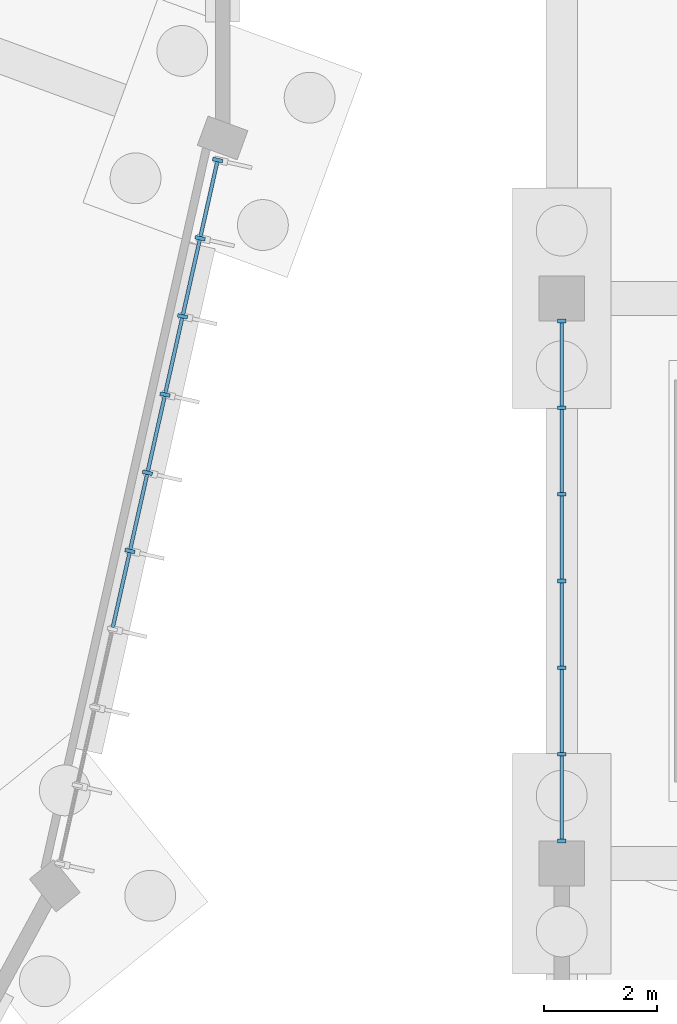
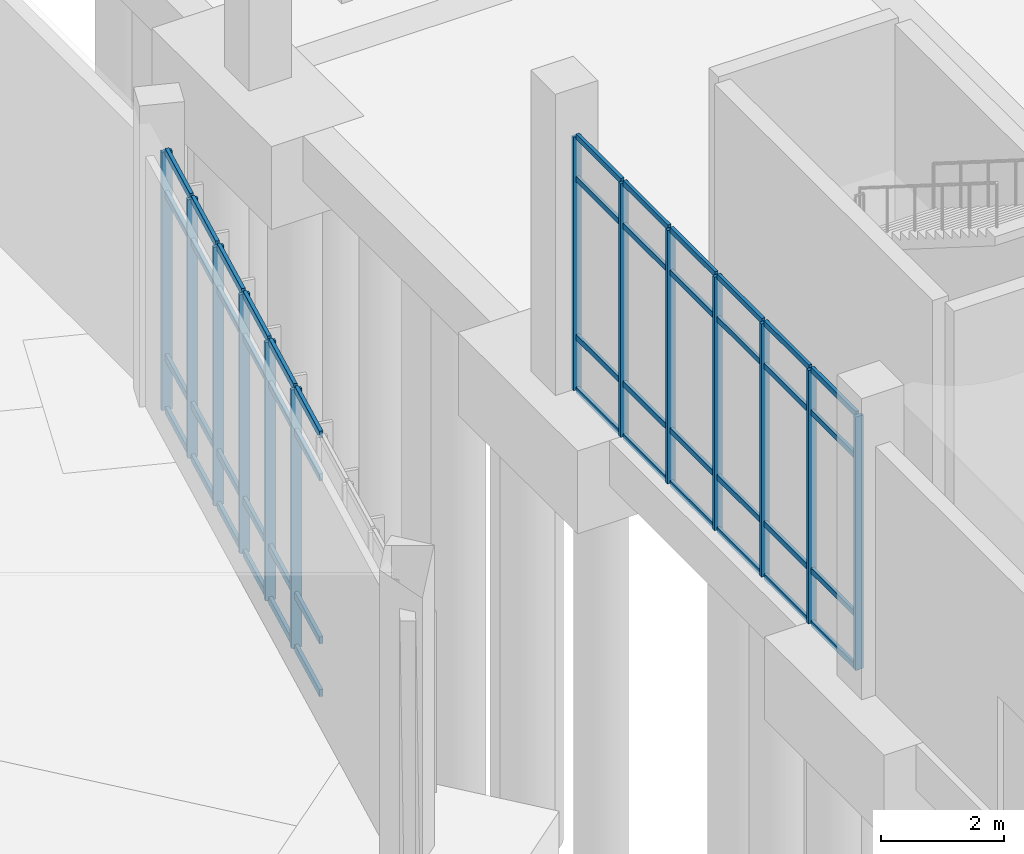
# One storey, part 44 of 140: 61 members, 2 elements without a shape of their own.
"""IFC4 building model written with IfcOpenShell, lengths in metres."""

from ifc_helpers import new_model, si_unit, direction, frame, origin, origin_2d, place, context, subcontext, project, spatial, rectangle, extrude, material, layer, layer_set, material_profile, profile_set, type_object, element, aggregate, save


model = new_model("IFC4")

# Units and contexts
model_context = context("Model", 3, precision=1e-05, world=origin(), true_north=direction((0.0, 1.0)))
body_context = subcontext(model_context, "Body", "Model", "MODEL_VIEW")
ifc_project = project(units=[si_unit("LENGTHUNIT", "METRE"), si_unit("AREAUNIT", "SQUARE_METRE"), si_unit("VOLUMEUNIT", "CUBIC_METRE"), si_unit("PLANEANGLEUNIT", "RADIAN"), si_unit("MASSUNIT", "GRAM", prefix="KILO")], contexts=[model_context])

# Site, building, storey
site_placement = place(None, origin())
site = spatial("IfcSite", under=ifc_project, at=site_placement, CompositionType="ELEMENT")
building_placement = place(site_placement, origin())
building = spatial("IfcBuilding", under=site, at=building_placement, Name="Corvandel Quay Wholesale Market", CompositionType="ELEMENT")
storey_placement = place(building_placement, origin())
storey = spatial("IfcBuildingStorey", under=building, at=storey_placement, Name="L00", CompositionType="ELEMENT", Elevation=0.0)

# Curtain wall, members
ifc_material_1 = material(Name="Bronze anodised aluminium and low-E insulated glazing", Category="aluminium")
ifc_layer_1 = layer(ifc_material_1, 0.162109375)
ifc_layer_set_1 = layer_set([ifc_layer_1], Name="Bronze anodised aluminium and low-E insulated glazing")
curtain_wall_type_1 = type_object("IfcCurtainWallType", Name="Stick Curtain Wall System CW16 H4440", PredefinedType="NOTDEFINED", material=ifc_layer_set_1)
curtain_wall_1_placement = place(storey_placement, origin())
curtain_wall_1 = element("IfcCurtainWall", 1, at=curtain_wall_1_placement, inside=storey, type_object=curtain_wall_type_1, Name="Curtain Wall CW-0141", PredefinedType="NOTDEFINED")
ifc_material_2 = material(Name="Anodised aluminium 6063-T6", Category="aluminium")
ifc_material_profile_1 = material_profile(ifc_material_2, rectangle(XDim=0.06494140625, YDim=0.179931640625, at=origin_2d()), Name="ALU-MUL-65x180")
ifc_profile_set_1 = profile_set([ifc_material_profile_1], Name="Anodised aluminium 6063-T6")
member_type_1 = type_object("IfcMemberType", Name="Curtain Wall Mullion ML01 65x180", PredefinedType="MULLION", material=ifc_profile_set_1)
member_1_placement = place(storey_placement, frame((212.3603515625, 45.53173828125, 0.0), z_axis=(0.0, 0.0, 1.0), x_axis=(0.218994806262, 0.975726024471, 0.0)))
member_1 = element("IfcMember", 2, at=member_1_placement, type_object=member_type_1, Name="Mullion CW-0141-M04", PredefinedType="MULLION", context=body_context, shape_type="SweptSolid", body=[
    extrude(rectangle(XDim=0.06494140625, YDim=0.179931640625, at=origin_2d()), origin(), (0.0, 0.0, 1.0), 5.14990234375),
])
member_2_placement = place(storey_placement, frame((212.670654296875, 46.915283203125, 0.0), z_axis=(0.0, 0.0, 1.0), x_axis=(0.218994806262, 0.975726024471, 0.0)))
member_2 = element("IfcMember", 3, at=member_2_placement, type_object=member_type_1, Name="Mullion CW-0141-M05", PredefinedType="MULLION", context=body_context, shape_type="SweptSolid", body=[
    extrude(rectangle(XDim=0.06494140625, YDim=0.179931640625, at=origin_2d()), origin(), (0.0, 0.0, 1.0), 5.14990234375),
])
member_3_placement = place(storey_placement, frame((212.981201171875, 48.298583984375, 0.0), z_axis=(0.0, 0.0, 1.0), x_axis=(0.218994806262, 0.975726024471, 0.0)))
member_3 = element("IfcMember", 4, at=member_3_placement, type_object=member_type_1, Name="Mullion CW-0141-M06", PredefinedType="MULLION", context=body_context, shape_type="SweptSolid", body=[
    extrude(rectangle(XDim=0.06494140625, YDim=0.179931640625, at=origin_2d()), origin(), (0.0, 0.0, 1.0), 5.14990234375),
])
member_4_placement = place(storey_placement, frame((213.29150390625, 49.681884765625, 0.0), z_axis=(0.0, 0.0, 1.0), x_axis=(0.218994806262, 0.975726024471, 0.0)))
member_4 = element("IfcMember", 5, at=member_4_placement, type_object=member_type_1, Name="Mullion CW-0141-M07", PredefinedType="MULLION", context=body_context, shape_type="SweptSolid", body=[
    extrude(rectangle(XDim=0.06494140625, YDim=0.179931640625, at=origin_2d()), origin(), (0.0, 0.0, 1.0), 5.14990234375),
])
member_5_placement = place(storey_placement, frame((213.60205078125, 51.065185546875, 0.0), z_axis=(0.0, 0.0, 1.0), x_axis=(0.218994806262, 0.975726024471, 0.0)))
member_5 = element("IfcMember", 6, at=member_5_placement, type_object=member_type_1, Name="Mullion CW-0141-M08", PredefinedType="MULLION", context=body_context, shape_type="SweptSolid", body=[
    extrude(rectangle(XDim=0.06494140625, YDim=0.179931640625, at=origin_2d()), origin(), (0.0, 0.0, 1.0), 5.14990234375),
])
member_6_placement = place(storey_placement, frame((213.912353515625, 52.44873046875, 0.0), z_axis=(0.0, 0.0, 1.0), x_axis=(0.218994806262, 0.975726024471, 0.0)))
member_6 = element("IfcMember", 7, at=member_6_placement, type_object=member_type_1, Name="Mullion CW-0141-M09", PredefinedType="MULLION", context=body_context, shape_type="SweptSolid", body=[
    extrude(rectangle(XDim=0.06494140625, YDim=0.179931640625, at=origin_2d()), origin(), (0.0, 0.0, 1.0), 5.14990234375),
])

ifc_layer_2 = layer(ifc_material_1, 0.174072265625)
ifc_layer_set_2 = layer_set([ifc_layer_2], Name="Bronze anodised aluminium and low-E insulated glazing")
curtain_wall_type_2 = type_object("IfcCurtainWallType", Name="Stick Curtain Wall System CW22 H4980", PredefinedType="NOTDEFINED", material=ifc_layer_set_2)
curtain_wall_2_placement = place(storey_placement, origin())
curtain_wall_2 = element("IfcCurtainWall", 8, at=curtain_wall_2_placement, inside=storey, type_object=curtain_wall_type_2, Name="Curtain Wall CW-0143", PredefinedType="NOTDEFINED")
ifc_material_profile_2 = material_profile(ifc_material_2, rectangle(XDim=0.06494140625, YDim=0.14990234375, at=origin_2d()), Name="ALU-MUL-65x150")
ifc_profile_set_2 = profile_set([ifc_material_profile_2], Name="Anodised aluminium 6063-T6")
member_type_2 = type_object("IfcMemberType", Name="Curtain Wall Mullion ML02 65x150", PredefinedType="MULLION", material=ifc_profile_set_2)
member_7_placement = place(storey_placement, frame((220.0, 40.39990234375, 0.0), z_axis=(0.0, 0.0, 1.0), x_axis=(0.0, 1.0, 0.0)))
member_7 = element("IfcMember", 9, at=member_7_placement, type_object=member_type_2, Name="Mullion CW-0143-M00", PredefinedType="MULLION", context=body_context, shape_type="SweptSolid", body=[
    extrude(rectangle(XDim=0.06494140625, YDim=0.14990234375, at=origin_2d()), origin(), (0.0, 0.0, 1.0), 5.050048828125),
])
member_8_placement = place(storey_placement, frame((220.0, 41.933349609375, 0.0), z_axis=(0.0, 0.0, 1.0), x_axis=(0.0, 1.0, 0.0)))
member_8 = element("IfcMember", 10, at=member_8_placement, type_object=member_type_2, Name="Mullion CW-0143-M01", PredefinedType="MULLION", context=body_context, shape_type="SweptSolid", body=[
    extrude(rectangle(XDim=0.06494140625, YDim=0.14990234375, at=origin_2d()), origin(), (0.0, 0.0, 1.0), 5.050048828125),
])
member_9_placement = place(storey_placement, frame((220.0, 43.466796875, 0.0), z_axis=(0.0, 0.0, 1.0), x_axis=(0.0, 1.0, 0.0)))
member_9 = element("IfcMember", 11, at=member_9_placement, type_object=member_type_2, Name="Mullion CW-0143-M02", PredefinedType="MULLION", context=body_context, shape_type="SweptSolid", body=[
    extrude(rectangle(XDim=0.06494140625, YDim=0.14990234375, at=origin_2d()), origin(), (0.0, 0.0, 1.0), 5.050048828125),
])
member_10_placement = place(storey_placement, frame((220.0, 45.0, 0.0), z_axis=(0.0, 0.0, 1.0), x_axis=(0.0, 1.0, 0.0)))
member_10 = element("IfcMember", 12, at=member_10_placement, type_object=member_type_2, Name="Mullion CW-0143-M03", PredefinedType="MULLION", context=body_context, shape_type="SweptSolid", body=[
    extrude(rectangle(XDim=0.06494140625, YDim=0.14990234375, at=origin_2d()), origin(), (0.0, 0.0, 1.0), 5.050048828125),
])
member_11_placement = place(storey_placement, frame((220.0, 46.533203125, 0.0), z_axis=(0.0, 0.0, 1.0), x_axis=(0.0, 1.0, 0.0)))
member_11 = element("IfcMember", 13, at=member_11_placement, type_object=member_type_2, Name="Mullion CW-0143-M04", PredefinedType="MULLION", context=body_context, shape_type="SweptSolid", body=[
    extrude(rectangle(XDim=0.06494140625, YDim=0.14990234375, at=origin_2d()), origin(), (0.0, 0.0, 1.0), 5.050048828125),
])
member_12_placement = place(storey_placement, frame((220.0, 48.066650390625, 0.0), z_axis=(0.0, 0.0, 1.0), x_axis=(0.0, 1.0, 0.0)))
member_12 = element("IfcMember", 14, at=member_12_placement, type_object=member_type_2, Name="Mullion CW-0143-M05", PredefinedType="MULLION", context=body_context, shape_type="SweptSolid", body=[
    extrude(rectangle(XDim=0.06494140625, YDim=0.14990234375, at=origin_2d()), origin(), (0.0, 0.0, 1.0), 5.050048828125),
])
member_13_placement = place(storey_placement, frame((220.0, 49.60009765625, 0.0), z_axis=(0.0, 0.0, 1.0), x_axis=(0.0, 1.0, 0.0)))
member_13 = element("IfcMember", 15, at=member_13_placement, type_object=member_type_2, Name="Mullion CW-0143-M06", PredefinedType="MULLION", context=body_context, shape_type="SweptSolid", body=[
    extrude(rectangle(XDim=0.06494140625, YDim=0.14990234375, at=origin_2d()), origin(), (0.0, 0.0, 1.0), 5.050048828125),
])

# Member
ifc_material_profile_3 = material_profile(ifc_material_2, rectangle(XDim=0.06494140625, YDim=0.139892578125, at=origin_2d()), Name="ALU-TRN-65x140")
ifc_profile_set_3 = profile_set([ifc_material_profile_3], Name="Anodised aluminium 6063-T6")
member_type_3 = type_object("IfcMemberType", Name="Curtain Wall Transom TR01 65x140", PredefinedType="USERDEFINED", material=ifc_profile_set_3)
member_14_placement = place(storey_placement, frame((212.056884765625, 44.18017578125, 0.0), z_axis=(0.21910847459, 0.975700505464, 0.0), x_axis=(-0.975700505464, 0.21910847459, 0.0)))
member_14 = element("IfcMember", 16, at=member_14_placement, type_object=member_type_3, Name="Transom CW-0141-T03-0", ObjectType="TRANSOM", PredefinedType="USERDEFINED", context=body_context, shape_type="SweptSolid", body=[
    extrude(rectangle(XDim=0.06494140625, YDim=0.139892578125, at=origin_2d()), origin(), (0.0, 0.0, 1.0), 1.352783203125),
])

member_15_placement = place(storey_placement, frame((212.056884765625, 44.18017578125, 1.050048828125), z_axis=(0.21910847459, 0.975700505464, 0.0), x_axis=(-0.975700505464, 0.21910847459, 0.0)))
member_15 = element("IfcMember", 17, at=member_15_placement, type_object=member_type_3, Name="Transom CW-0141-T03-1", ObjectType="TRANSOM", PredefinedType="USERDEFINED", context=body_context, shape_type="SweptSolid", body=[
    extrude(rectangle(XDim=0.06494140625, YDim=0.139892578125, at=origin_2d()), origin(), (0.0, 0.0, 1.0), 1.352783203125),
])

member_16_placement = place(storey_placement, frame((212.056884765625, 44.18017578125, 4.300048828125), z_axis=(0.21910847459, 0.975700505464, 0.0), x_axis=(-0.975700505464, 0.21910847459, 0.0)))
member_16 = element("IfcMember", 18, at=member_16_placement, type_object=member_type_3, Name="Transom CW-0141-T03-2", ObjectType="TRANSOM", PredefinedType="USERDEFINED", context=body_context, shape_type="SweptSolid", body=[
    extrude(rectangle(XDim=0.06494140625, YDim=0.139892578125, at=origin_2d()), origin(), (0.0, 0.0, 1.0), 1.352783203125),
])

member_17_placement = place(storey_placement, frame((212.056884765625, 44.18017578125, 5.14990234375), z_axis=(0.21910847459, 0.975700505464, 0.0), x_axis=(-0.975700505464, 0.21910847459, 0.0)))
member_17 = element("IfcMember", 19, at=member_17_placement, type_object=member_type_3, Name="Transom CW-0141-T03-3", ObjectType="TRANSOM", PredefinedType="USERDEFINED", context=body_context, shape_type="SweptSolid", body=[
    extrude(rectangle(XDim=0.06494140625, YDim=0.139892578125, at=origin_2d()), origin(), (0.0, 0.0, 1.0), 1.352783203125),
])

member_18_placement = place(storey_placement, frame((212.367431640625, 45.5634765625, 0.0), z_axis=(0.2188980935, 0.975747725932, 0.0), x_axis=(-0.975747725932, 0.2188980935, 0.0)))
member_18 = element("IfcMember", 20, at=member_18_placement, type_object=member_type_3, Name="Transom CW-0141-T04-0", ObjectType="TRANSOM", PredefinedType="USERDEFINED", context=body_context, shape_type="SweptSolid", body=[
    extrude(rectangle(XDim=0.06494140625, YDim=0.139892578125, at=origin_2d()), origin(), (0.0, 0.0, 1.0), 1.352783203125),
])

member_19_placement = place(storey_placement, frame((212.367431640625, 45.5634765625, 1.050048828125), z_axis=(0.2188980935, 0.975747725932, 0.0), x_axis=(-0.975747725932, 0.2188980935, 0.0)))
member_19 = element("IfcMember", 21, at=member_19_placement, type_object=member_type_3, Name="Transom CW-0141-T04-1", ObjectType="TRANSOM", PredefinedType="USERDEFINED", context=body_context, shape_type="SweptSolid", body=[
    extrude(rectangle(XDim=0.06494140625, YDim=0.139892578125, at=origin_2d()), origin(), (0.0, 0.0, 1.0), 1.352783203125),
])

member_20_placement = place(storey_placement, frame((212.367431640625, 45.5634765625, 4.300048828125), z_axis=(0.2188980935, 0.975747725932, 0.0), x_axis=(-0.975747725932, 0.2188980935, 0.0)))
member_20 = element("IfcMember", 22, at=member_20_placement, type_object=member_type_3, Name="Transom CW-0141-T04-2", ObjectType="TRANSOM", PredefinedType="USERDEFINED", context=body_context, shape_type="SweptSolid", body=[
    extrude(rectangle(XDim=0.06494140625, YDim=0.139892578125, at=origin_2d()), origin(), (0.0, 0.0, 1.0), 1.352783203125),
])

member_21_placement = place(storey_placement, frame((212.367431640625, 45.5634765625, 5.14990234375), z_axis=(0.2188980935, 0.975747725932, 0.0), x_axis=(-0.975747725932, 0.2188980935, 0.0)))
member_21 = element("IfcMember", 23, at=member_21_placement, type_object=member_type_3, Name="Transom CW-0141-T04-3", ObjectType="TRANSOM", PredefinedType="USERDEFINED", context=body_context, shape_type="SweptSolid", body=[
    extrude(rectangle(XDim=0.06494140625, YDim=0.139892578125, at=origin_2d()), origin(), (0.0, 0.0, 1.0), 1.352783203125),
])

member_22_placement = place(storey_placement, frame((212.677734375, 46.947021484375, 0.0), z_axis=(0.21910847459, 0.975700505464, 0.0), x_axis=(-0.975700505464, 0.21910847459, 0.0)))
member_22 = element("IfcMember", 24, at=member_22_placement, type_object=member_type_3, Name="Transom CW-0141-T05-0", ObjectType="TRANSOM", PredefinedType="USERDEFINED", context=body_context, shape_type="SweptSolid", body=[
    extrude(rectangle(XDim=0.06494140625, YDim=0.139892578125, at=origin_2d()), origin(), (0.0, 0.0, 1.0), 1.352783203125),
])

member_23_placement = place(storey_placement, frame((212.677734375, 46.947021484375, 1.050048828125), z_axis=(0.21910847459, 0.975700505464, 0.0), x_axis=(-0.975700505464, 0.21910847459, 0.0)))
member_23 = element("IfcMember", 25, at=member_23_placement, type_object=member_type_3, Name="Transom CW-0141-T05-1", ObjectType="TRANSOM", PredefinedType="USERDEFINED", context=body_context, shape_type="SweptSolid", body=[
    extrude(rectangle(XDim=0.06494140625, YDim=0.139892578125, at=origin_2d()), origin(), (0.0, 0.0, 1.0), 1.352783203125),
])

member_24_placement = place(storey_placement, frame((212.677734375, 46.947021484375, 4.300048828125), z_axis=(0.21910847459, 0.975700505464, 0.0), x_axis=(-0.975700505464, 0.21910847459, 0.0)))
member_24 = element("IfcMember", 26, at=member_24_placement, type_object=member_type_3, Name="Transom CW-0141-T05-2", ObjectType="TRANSOM", PredefinedType="USERDEFINED", context=body_context, shape_type="SweptSolid", body=[
    extrude(rectangle(XDim=0.06494140625, YDim=0.139892578125, at=origin_2d()), origin(), (0.0, 0.0, 1.0), 1.352783203125),
])

member_25_placement = place(storey_placement, frame((212.677734375, 46.947021484375, 5.14990234375), z_axis=(0.21910847459, 0.975700505464, 0.0), x_axis=(-0.975700505464, 0.21910847459, 0.0)))
member_25 = element("IfcMember", 27, at=member_25_placement, type_object=member_type_3, Name="Transom CW-0141-T05-3", ObjectType="TRANSOM", PredefinedType="USERDEFINED", context=body_context, shape_type="SweptSolid", body=[
    extrude(rectangle(XDim=0.06494140625, YDim=0.139892578125, at=origin_2d()), origin(), (0.0, 0.0, 1.0), 1.352783203125),
])

member_26_placement = place(storey_placement, frame((212.98828125, 48.330322265625, 0.0), z_axis=(0.218936644466, 0.975739076654, 0.0), x_axis=(-0.975739076654, 0.218936644466, 0.0)))
member_26 = element("IfcMember", 28, at=member_26_placement, type_object=member_type_3, Name="Transom CW-0141-T06-0", ObjectType="TRANSOM", PredefinedType="USERDEFINED", context=body_context, shape_type="SweptSolid", body=[
    extrude(rectangle(XDim=0.06494140625, YDim=0.139892578125, at=origin_2d()), origin(), (0.0, 0.0, 1.0), 1.3525390625),
])

member_27_placement = place(storey_placement, frame((212.98828125, 48.330322265625, 1.050048828125), z_axis=(0.218936644466, 0.975739076654, 0.0), x_axis=(-0.975739076654, 0.218936644466, 0.0)))
member_27 = element("IfcMember", 29, at=member_27_placement, type_object=member_type_3, Name="Transom CW-0141-T06-1", ObjectType="TRANSOM", PredefinedType="USERDEFINED", context=body_context, shape_type="SweptSolid", body=[
    extrude(rectangle(XDim=0.06494140625, YDim=0.139892578125, at=origin_2d()), origin(), (0.0, 0.0, 1.0), 1.3525390625),
])

member_28_placement = place(storey_placement, frame((212.98828125, 48.330322265625, 4.300048828125), z_axis=(0.218936644466, 0.975739076654, 0.0), x_axis=(-0.975739076654, 0.218936644466, 0.0)))
member_28 = element("IfcMember", 30, at=member_28_placement, type_object=member_type_3, Name="Transom CW-0141-T06-2", ObjectType="TRANSOM", PredefinedType="USERDEFINED", context=body_context, shape_type="SweptSolid", body=[
    extrude(rectangle(XDim=0.06494140625, YDim=0.139892578125, at=origin_2d()), origin(), (0.0, 0.0, 1.0), 1.3525390625),
])

member_29_placement = place(storey_placement, frame((212.98828125, 48.330322265625, 5.14990234375), z_axis=(0.218936644466, 0.975739076654, 0.0), x_axis=(-0.975739076654, 0.218936644466, 0.0)))
member_29 = element("IfcMember", 31, at=member_29_placement, type_object=member_type_3, Name="Transom CW-0141-T06-3", ObjectType="TRANSOM", PredefinedType="USERDEFINED", context=body_context, shape_type="SweptSolid", body=[
    extrude(rectangle(XDim=0.06494140625, YDim=0.139892578125, at=origin_2d()), origin(), (0.0, 0.0, 1.0), 1.3525390625),
])

member_30_placement = place(storey_placement, frame((213.298583984375, 49.713623046875, 0.0), z_axis=(0.219069896418, 0.975709167982, 0.0), x_axis=(-0.975709167982, 0.219069896418, 0.0)))
member_30 = element("IfcMember", 32, at=member_30_placement, type_object=member_type_3, Name="Transom CW-0141-T07-0", ObjectType="TRANSOM", PredefinedType="USERDEFINED", context=body_context, shape_type="SweptSolid", body=[
    extrude(rectangle(XDim=0.06494140625, YDim=0.139892578125, at=origin_2d()), origin(), (0.0, 0.0, 1.0), 1.35302734375),
])

member_31_placement = place(storey_placement, frame((213.298583984375, 49.713623046875, 1.050048828125), z_axis=(0.219069896418, 0.975709167982, 0.0), x_axis=(-0.975709167982, 0.219069896418, 0.0)))
member_31 = element("IfcMember", 33, at=member_31_placement, type_object=member_type_3, Name="Transom CW-0141-T07-1", ObjectType="TRANSOM", PredefinedType="USERDEFINED", context=body_context, shape_type="SweptSolid", body=[
    extrude(rectangle(XDim=0.06494140625, YDim=0.139892578125, at=origin_2d()), origin(), (0.0, 0.0, 1.0), 1.35302734375),
])

member_32_placement = place(storey_placement, frame((213.298583984375, 49.713623046875, 4.300048828125), z_axis=(0.219069896418, 0.975709167982, 0.0), x_axis=(-0.975709167982, 0.219069896418, 0.0)))
member_32 = element("IfcMember", 34, at=member_32_placement, type_object=member_type_3, Name="Transom CW-0141-T07-2", ObjectType="TRANSOM", PredefinedType="USERDEFINED", context=body_context, shape_type="SweptSolid", body=[
    extrude(rectangle(XDim=0.06494140625, YDim=0.139892578125, at=origin_2d()), origin(), (0.0, 0.0, 1.0), 1.35302734375),
])

member_33_placement = place(storey_placement, frame((213.298583984375, 49.713623046875, 5.14990234375), z_axis=(0.219069896418, 0.975709167982, 0.0), x_axis=(-0.975709167982, 0.219069896418, 0.0)))
member_33 = element("IfcMember", 35, at=member_33_placement, type_object=member_type_3, Name="Transom CW-0141-T07-3", ObjectType="TRANSOM", PredefinedType="USERDEFINED", context=body_context, shape_type="SweptSolid", body=[
    extrude(rectangle(XDim=0.06494140625, YDim=0.139892578125, at=origin_2d()), origin(), (0.0, 0.0, 1.0), 1.35302734375),
])

member_34_placement = place(storey_placement, frame((213.609130859375, 51.096923828125, 0.0), z_axis=(0.2188980935, 0.975747725932, 0.0), x_axis=(-0.975747725932, 0.2188980935, 0.0)))
member_34 = element("IfcMember", 36, at=member_34_placement, type_object=member_type_3, Name="Transom CW-0141-T08-0", ObjectType="TRANSOM", PredefinedType="USERDEFINED", context=body_context, shape_type="SweptSolid", body=[
    extrude(rectangle(XDim=0.06494140625, YDim=0.139892578125, at=origin_2d()), origin(), (0.0, 0.0, 1.0), 1.352783203125),
])

member_35_placement = place(storey_placement, frame((213.609130859375, 51.096923828125, 1.050048828125), z_axis=(0.2188980935, 0.975747725932, 0.0), x_axis=(-0.975747725932, 0.2188980935, 0.0)))
member_35 = element("IfcMember", 37, at=member_35_placement, type_object=member_type_3, Name="Transom CW-0141-T08-1", ObjectType="TRANSOM", PredefinedType="USERDEFINED", context=body_context, shape_type="SweptSolid", body=[
    extrude(rectangle(XDim=0.06494140625, YDim=0.139892578125, at=origin_2d()), origin(), (0.0, 0.0, 1.0), 1.352783203125),
])

member_36_placement = place(storey_placement, frame((213.609130859375, 51.096923828125, 4.300048828125), z_axis=(0.2188980935, 0.975747725932, 0.0), x_axis=(-0.975747725932, 0.2188980935, 0.0)))
member_36 = element("IfcMember", 38, at=member_36_placement, type_object=member_type_3, Name="Transom CW-0141-T08-2", ObjectType="TRANSOM", PredefinedType="USERDEFINED", context=body_context, shape_type="SweptSolid", body=[
    extrude(rectangle(XDim=0.06494140625, YDim=0.139892578125, at=origin_2d()), origin(), (0.0, 0.0, 1.0), 1.352783203125),
])

member_37_placement = place(storey_placement, frame((213.609130859375, 51.096923828125, 5.14990234375), z_axis=(0.2188980935, 0.975747725932, 0.0), x_axis=(-0.975747725932, 0.2188980935, 0.0)))
member_37 = element("IfcMember", 39, at=member_37_placement, type_object=member_type_3, Name="Transom CW-0141-T08-3", ObjectType="TRANSOM", PredefinedType="USERDEFINED", context=body_context, shape_type="SweptSolid", body=[
    extrude(rectangle(XDim=0.06494140625, YDim=0.139892578125, at=origin_2d()), origin(), (0.0, 0.0, 1.0), 1.352783203125),
])

aggregate(curtain_wall_1, [member_1, member_2, member_3, member_4, member_5, member_6, member_14, member_15, member_16, member_17, member_18, member_19, member_20, member_21, member_22, member_23, member_24, member_25, member_26, member_27, member_28, member_29, member_30, member_31, member_32, member_33, member_34, member_35, member_36, member_37])

ifc_material_profile_4 = material_profile(ifc_material_2, rectangle(XDim=0.06005859375, YDim=0.110107421875, at=origin_2d()), Name="ALU-TRN-60x110")
ifc_profile_set_4 = profile_set([ifc_material_profile_4], Name="Anodised aluminium 6063-T6")
member_type_4 = type_object("IfcMemberType", Name="Curtain Wall Transom TR02 60x110", PredefinedType="USERDEFINED", material=ifc_profile_set_4)
member_38_placement = place(storey_placement, frame((220.0, 40.4326171875, 0.0), z_axis=(0.0, 1.0, 0.0), x_axis=(-1.0, 0.0, 0.0)))
member_38 = element("IfcMember", 40, at=member_38_placement, type_object=member_type_4, Name="Transom CW-0143-T00-0", ObjectType="TRANSOM", PredefinedType="USERDEFINED", context=body_context, shape_type="SweptSolid", body=[
    extrude(rectangle(XDim=0.06005859375, YDim=0.110107421875, at=origin_2d()), origin(), (0.0, 0.0, 1.0), 1.46826171875),
])

member_39_placement = place(storey_placement, frame((220.0, 40.4326171875, 1.050048828125), z_axis=(0.0, 1.0, 0.0), x_axis=(-1.0, 0.0, 0.0)))
member_39 = element("IfcMember", 41, at=member_39_placement, type_object=member_type_4, Name="Transom CW-0143-T00-1", ObjectType="TRANSOM", PredefinedType="USERDEFINED", context=body_context, shape_type="SweptSolid", body=[
    extrude(rectangle(XDim=0.06005859375, YDim=0.110107421875, at=origin_2d()), origin(), (0.0, 0.0, 1.0), 1.46826171875),
])

member_40_placement = place(storey_placement, frame((220.0, 40.4326171875, 4.199951171875), z_axis=(0.0, 1.0, 0.0), x_axis=(-1.0, 0.0, 0.0)))
member_40 = element("IfcMember", 42, at=member_40_placement, type_object=member_type_4, Name="Transom CW-0143-T00-2", ObjectType="TRANSOM", PredefinedType="USERDEFINED", context=body_context, shape_type="SweptSolid", body=[
    extrude(rectangle(XDim=0.06005859375, YDim=0.110107421875, at=origin_2d()), origin(), (0.0, 0.0, 1.0), 1.46826171875),
])

member_41_placement = place(storey_placement, frame((220.0, 40.4326171875, 5.050048828125), z_axis=(0.0, 1.0, 0.0), x_axis=(-1.0, 0.0, 0.0)))
member_41 = element("IfcMember", 43, at=member_41_placement, type_object=member_type_4, Name="Transom CW-0143-T00-3", ObjectType="TRANSOM", PredefinedType="USERDEFINED", context=body_context, shape_type="SweptSolid", body=[
    extrude(rectangle(XDim=0.06005859375, YDim=0.110107421875, at=origin_2d()), origin(), (0.0, 0.0, 1.0), 1.46826171875),
])

member_42_placement = place(storey_placement, frame((220.0, 41.9658203125, 0.0), z_axis=(0.0, 1.0, 0.0), x_axis=(-1.0, 0.0, 0.0)))
member_42 = element("IfcMember", 44, at=member_42_placement, type_object=member_type_4, Name="Transom CW-0143-T01-0", ObjectType="TRANSOM", PredefinedType="USERDEFINED", context=body_context, shape_type="SweptSolid", body=[
    extrude(rectangle(XDim=0.06005859375, YDim=0.110107421875, at=origin_2d()), origin(), (0.0, 0.0, 1.0), 1.46826171875),
])

member_43_placement = place(storey_placement, frame((220.0, 41.9658203125, 1.050048828125), z_axis=(0.0, 1.0, 0.0), x_axis=(-1.0, 0.0, 0.0)))
member_43 = element("IfcMember", 45, at=member_43_placement, type_object=member_type_4, Name="Transom CW-0143-T01-1", ObjectType="TRANSOM", PredefinedType="USERDEFINED", context=body_context, shape_type="SweptSolid", body=[
    extrude(rectangle(XDim=0.06005859375, YDim=0.110107421875, at=origin_2d()), origin(), (0.0, 0.0, 1.0), 1.46826171875),
])

member_44_placement = place(storey_placement, frame((220.0, 41.9658203125, 4.199951171875), z_axis=(0.0, 1.0, 0.0), x_axis=(-1.0, 0.0, 0.0)))
member_44 = element("IfcMember", 46, at=member_44_placement, type_object=member_type_4, Name="Transom CW-0143-T01-2", ObjectType="TRANSOM", PredefinedType="USERDEFINED", context=body_context, shape_type="SweptSolid", body=[
    extrude(rectangle(XDim=0.06005859375, YDim=0.110107421875, at=origin_2d()), origin(), (0.0, 0.0, 1.0), 1.46826171875),
])

member_45_placement = place(storey_placement, frame((220.0, 41.9658203125, 5.050048828125), z_axis=(0.0, 1.0, 0.0), x_axis=(-1.0, 0.0, 0.0)))
member_45 = element("IfcMember", 47, at=member_45_placement, type_object=member_type_4, Name="Transom CW-0143-T01-3", ObjectType="TRANSOM", PredefinedType="USERDEFINED", context=body_context, shape_type="SweptSolid", body=[
    extrude(rectangle(XDim=0.06005859375, YDim=0.110107421875, at=origin_2d()), origin(), (0.0, 0.0, 1.0), 1.46826171875),
])

member_46_placement = place(storey_placement, frame((220.0, 43.499267578125, 0.0), z_axis=(0.0, 1.0, 0.0), x_axis=(-1.0, 0.0, 0.0)))
member_46 = element("IfcMember", 48, at=member_46_placement, type_object=member_type_4, Name="Transom CW-0143-T02-0", ObjectType="TRANSOM", PredefinedType="USERDEFINED", context=body_context, shape_type="SweptSolid", body=[
    extrude(rectangle(XDim=0.06005859375, YDim=0.110107421875, at=origin_2d()), origin(), (0.0, 0.0, 1.0), 1.46826171875),
])

member_47_placement = place(storey_placement, frame((220.0, 43.499267578125, 1.050048828125), z_axis=(0.0, 1.0, 0.0), x_axis=(-1.0, 0.0, 0.0)))
member_47 = element("IfcMember", 49, at=member_47_placement, type_object=member_type_4, Name="Transom CW-0143-T02-1", ObjectType="TRANSOM", PredefinedType="USERDEFINED", context=body_context, shape_type="SweptSolid", body=[
    extrude(rectangle(XDim=0.06005859375, YDim=0.110107421875, at=origin_2d()), origin(), (0.0, 0.0, 1.0), 1.46826171875),
])

member_48_placement = place(storey_placement, frame((220.0, 43.499267578125, 4.199951171875), z_axis=(0.0, 1.0, 0.0), x_axis=(-1.0, 0.0, 0.0)))
member_48 = element("IfcMember", 50, at=member_48_placement, type_object=member_type_4, Name="Transom CW-0143-T02-2", ObjectType="TRANSOM", PredefinedType="USERDEFINED", context=body_context, shape_type="SweptSolid", body=[
    extrude(rectangle(XDim=0.06005859375, YDim=0.110107421875, at=origin_2d()), origin(), (0.0, 0.0, 1.0), 1.46826171875),
])

member_49_placement = place(storey_placement, frame((220.0, 43.499267578125, 5.050048828125), z_axis=(0.0, 1.0, 0.0), x_axis=(-1.0, 0.0, 0.0)))
member_49 = element("IfcMember", 51, at=member_49_placement, type_object=member_type_4, Name="Transom CW-0143-T02-3", ObjectType="TRANSOM", PredefinedType="USERDEFINED", context=body_context, shape_type="SweptSolid", body=[
    extrude(rectangle(XDim=0.06005859375, YDim=0.110107421875, at=origin_2d()), origin(), (0.0, 0.0, 1.0), 1.46826171875),
])

member_50_placement = place(storey_placement, frame((220.0, 45.032470703125, 0.0), z_axis=(0.0, 1.0, 0.0), x_axis=(-1.0, 0.0, 0.0)))
member_50 = element("IfcMember", 52, at=member_50_placement, type_object=member_type_4, Name="Transom CW-0143-T03-0", ObjectType="TRANSOM", PredefinedType="USERDEFINED", context=body_context, shape_type="SweptSolid", body=[
    extrude(rectangle(XDim=0.06005859375, YDim=0.110107421875, at=origin_2d()), origin(), (0.0, 0.0, 1.0), 1.46826171875),
])

member_51_placement = place(storey_placement, frame((220.0, 45.032470703125, 1.050048828125), z_axis=(0.0, 1.0, 0.0), x_axis=(-1.0, 0.0, 0.0)))
member_51 = element("IfcMember", 53, at=member_51_placement, type_object=member_type_4, Name="Transom CW-0143-T03-1", ObjectType="TRANSOM", PredefinedType="USERDEFINED", context=body_context, shape_type="SweptSolid", body=[
    extrude(rectangle(XDim=0.06005859375, YDim=0.110107421875, at=origin_2d()), origin(), (0.0, 0.0, 1.0), 1.46826171875),
])

member_52_placement = place(storey_placement, frame((220.0, 45.032470703125, 4.199951171875), z_axis=(0.0, 1.0, 0.0), x_axis=(-1.0, 0.0, 0.0)))
member_52 = element("IfcMember", 54, at=member_52_placement, type_object=member_type_4, Name="Transom CW-0143-T03-2", ObjectType="TRANSOM", PredefinedType="USERDEFINED", context=body_context, shape_type="SweptSolid", body=[
    extrude(rectangle(XDim=0.06005859375, YDim=0.110107421875, at=origin_2d()), origin(), (0.0, 0.0, 1.0), 1.46826171875),
])

member_53_placement = place(storey_placement, frame((220.0, 45.032470703125, 5.050048828125), z_axis=(0.0, 1.0, 0.0), x_axis=(-1.0, 0.0, 0.0)))
member_53 = element("IfcMember", 55, at=member_53_placement, type_object=member_type_4, Name="Transom CW-0143-T03-3", ObjectType="TRANSOM", PredefinedType="USERDEFINED", context=body_context, shape_type="SweptSolid", body=[
    extrude(rectangle(XDim=0.06005859375, YDim=0.110107421875, at=origin_2d()), origin(), (0.0, 0.0, 1.0), 1.46826171875),
])

member_54_placement = place(storey_placement, frame((220.0, 46.56591796875, 0.0), z_axis=(0.0, 1.0, 0.0), x_axis=(-1.0, 0.0, 0.0)))
member_54 = element("IfcMember", 56, at=member_54_placement, type_object=member_type_4, Name="Transom CW-0143-T04-0", ObjectType="TRANSOM", PredefinedType="USERDEFINED", context=body_context, shape_type="SweptSolid", body=[
    extrude(rectangle(XDim=0.06005859375, YDim=0.110107421875, at=origin_2d()), origin(), (0.0, 0.0, 1.0), 1.46826171875),
])

member_55_placement = place(storey_placement, frame((220.0, 46.56591796875, 1.050048828125), z_axis=(0.0, 1.0, 0.0), x_axis=(-1.0, 0.0, 0.0)))
member_55 = element("IfcMember", 57, at=member_55_placement, type_object=member_type_4, Name="Transom CW-0143-T04-1", ObjectType="TRANSOM", PredefinedType="USERDEFINED", context=body_context, shape_type="SweptSolid", body=[
    extrude(rectangle(XDim=0.06005859375, YDim=0.110107421875, at=origin_2d()), origin(), (0.0, 0.0, 1.0), 1.46826171875),
])

member_56_placement = place(storey_placement, frame((220.0, 46.56591796875, 4.199951171875), z_axis=(0.0, 1.0, 0.0), x_axis=(-1.0, 0.0, 0.0)))
member_56 = element("IfcMember", 58, at=member_56_placement, type_object=member_type_4, Name="Transom CW-0143-T04-2", ObjectType="TRANSOM", PredefinedType="USERDEFINED", context=body_context, shape_type="SweptSolid", body=[
    extrude(rectangle(XDim=0.06005859375, YDim=0.110107421875, at=origin_2d()), origin(), (0.0, 0.0, 1.0), 1.46826171875),
])

member_57_placement = place(storey_placement, frame((220.0, 46.56591796875, 5.050048828125), z_axis=(0.0, 1.0, 0.0), x_axis=(-1.0, 0.0, 0.0)))
member_57 = element("IfcMember", 59, at=member_57_placement, type_object=member_type_4, Name="Transom CW-0143-T04-3", ObjectType="TRANSOM", PredefinedType="USERDEFINED", context=body_context, shape_type="SweptSolid", body=[
    extrude(rectangle(XDim=0.06005859375, YDim=0.110107421875, at=origin_2d()), origin(), (0.0, 0.0, 1.0), 1.46826171875),
])

member_58_placement = place(storey_placement, frame((220.0, 48.09912109375, 0.0), z_axis=(0.0, 1.0, 0.0), x_axis=(-1.0, 0.0, 0.0)))
member_58 = element("IfcMember", 60, at=member_58_placement, type_object=member_type_4, Name="Transom CW-0143-T05-0", ObjectType="TRANSOM", PredefinedType="USERDEFINED", context=body_context, shape_type="SweptSolid", body=[
    extrude(rectangle(XDim=0.06005859375, YDim=0.110107421875, at=origin_2d()), origin(), (0.0, 0.0, 1.0), 1.46826171875),
])

member_59_placement = place(storey_placement, frame((220.0, 48.09912109375, 1.050048828125), z_axis=(0.0, 1.0, 0.0), x_axis=(-1.0, 0.0, 0.0)))
member_59 = element("IfcMember", 61, at=member_59_placement, type_object=member_type_4, Name="Transom CW-0143-T05-1", ObjectType="TRANSOM", PredefinedType="USERDEFINED", context=body_context, shape_type="SweptSolid", body=[
    extrude(rectangle(XDim=0.06005859375, YDim=0.110107421875, at=origin_2d()), origin(), (0.0, 0.0, 1.0), 1.46826171875),
])

member_60_placement = place(storey_placement, frame((220.0, 48.09912109375, 4.199951171875), z_axis=(0.0, 1.0, 0.0), x_axis=(-1.0, 0.0, 0.0)))
member_60 = element("IfcMember", 62, at=member_60_placement, type_object=member_type_4, Name="Transom CW-0143-T05-2", ObjectType="TRANSOM", PredefinedType="USERDEFINED", context=body_context, shape_type="SweptSolid", body=[
    extrude(rectangle(XDim=0.06005859375, YDim=0.110107421875, at=origin_2d()), origin(), (0.0, 0.0, 1.0), 1.46826171875),
])

member_61_placement = place(storey_placement, frame((220.0, 48.09912109375, 5.050048828125), z_axis=(0.0, 1.0, 0.0), x_axis=(-1.0, 0.0, 0.0)))
member_61 = element("IfcMember", 63, at=member_61_placement, type_object=member_type_4, Name="Transom CW-0143-T05-3", ObjectType="TRANSOM", PredefinedType="USERDEFINED", context=body_context, shape_type="SweptSolid", body=[
    extrude(rectangle(XDim=0.06005859375, YDim=0.110107421875, at=origin_2d()), origin(), (0.0, 0.0, 1.0), 1.46826171875),
])

aggregate(curtain_wall_2, [member_7, member_8, member_9, member_10, member_11, member_12, member_13, member_38, member_39, member_40, member_41, member_42, member_43, member_44, member_45, member_46, member_47, member_48, member_49, member_50, member_51, member_52, member_53, member_54, member_55, member_56, member_57, member_58, member_59, member_60, member_61])

save(model, "model.ifc")
